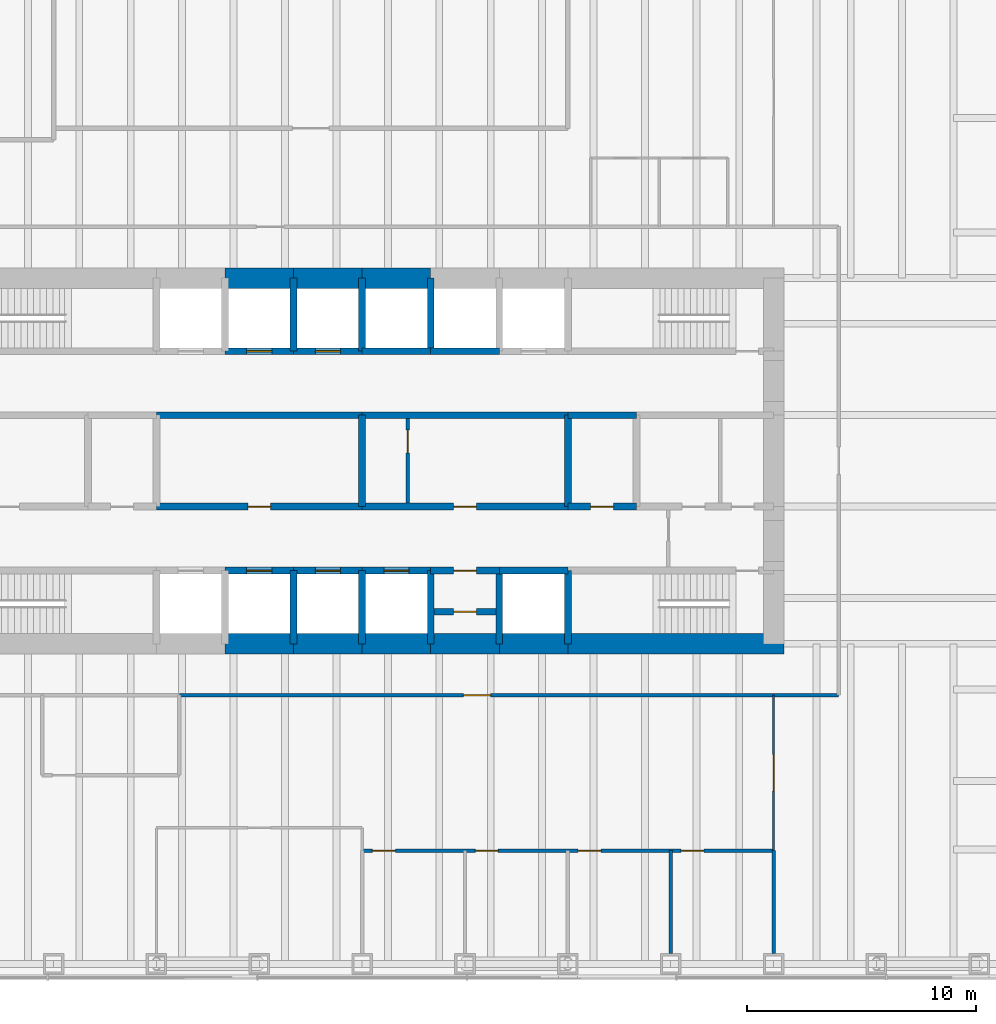
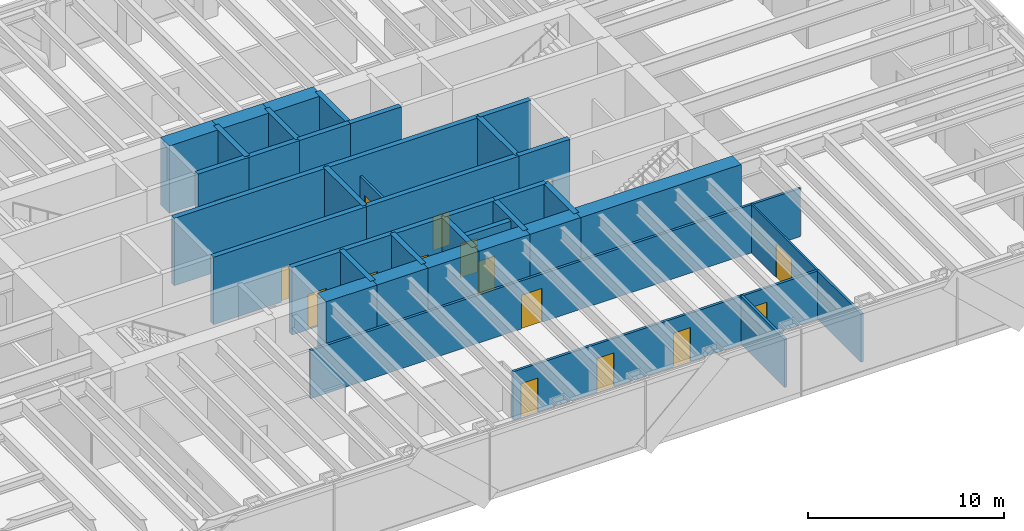
# One storey, part 14 of 17: 41 walls, 17 doors, 17 openings.
"""IFC4 building model written with IfcOpenShell, lengths in metres."""

import ifcopenshell
import ifcopenshell.guid

model = None  # the IFC model being written
_history = None  # IfcOwnerHistory: only IFC2X3 demands one
_inside = {}  # id of a spatial element -> (the spatial element, [elements in it])
_under = {}  # id of a project, library or spatial element -> (it, [spatial elements below it])
_declared = {}  # id of a project -> (the project, [libraries it declares])
_typed = {}  # id of a type object -> (the type object, [elements of that type])
_made_of = {}  # id of a material, layer set ... -> (it, [elements and type objects made of it])


def new_model(schema):
    """Start an empty IFC model of exactly this schema.

    Asked for "IFC4X3", IfcOpenShell would pick the latest addendum, in which some entities
    have other attributes; the version numbers below select the first issue.
    IFC2X3 requires an IfcOwnerHistory on every rooted entity: one is made here for all.
    """
    global model, _history
    if schema == "IFC4X3":
        model = ifcopenshell.file(schema_version=(4, 3, 0, 0))
    else:
        model = ifcopenshell.file(schema=schema)
    _inside.clear()
    _under.clear()
    _declared.clear()
    _typed.clear()
    _made_of.clear()
    _history = None
    if model.schema == "IFC2X3":
        org = make("IfcOrganization", Name="unknown")
        user = make(
            "IfcPersonAndOrganization",
            ThePerson=make("IfcPerson", FamilyName="unknown"),
            TheOrganization=org,
        )
        app = make(
            "IfcApplication",
            ApplicationDeveloper=org,
            Version="unknown",
            ApplicationFullName="unknown",
            ApplicationIdentifier="unknown",
        )
        _history = make(
            "IfcOwnerHistory",
            OwningUser=user,
            OwningApplication=app,
            ChangeAction="ADDED",
            CreationDate=0,
        )
    return model


def make(cls, **values):
    """One entity of the class cls with the attributes given. An attribute that is None is left unset."""
    return model.create_entity(
        cls, **{name: value for name, value in values.items() if value is not None}
    )


def rooted(cls, **values):
    """An entity with a GlobalId (a new one), such as an element, a storey or a relation."""
    return make(cls, GlobalId=ifcopenshell.guid.new(), OwnerHistory=_history, **values)


def si_unit(unit_type, name, prefix=None):
    """IfcSIUnit, for example si_unit("LENGTHUNIT", "METRE", prefix="MILLI")."""
    return make("IfcSIUnit", UnitType=unit_type, Prefix=prefix, Name=name)


def assignment(units):
    """IfcUnitAssignment: the units of a project."""
    return None if units is None else make("IfcUnitAssignment", Units=units)


def point(xyz):
    """IfcCartesianPoint."""
    return None if xyz is None else make("IfcCartesianPoint", Coordinates=xyz)


def direction(xyz):
    """IfcDirection."""
    return None if xyz is None else make("IfcDirection", DirectionRatios=xyz)


def frame(location, z_axis=None, x_axis=None):
    """IfcAxis2Placement3D, a coordinate frame: its origin and axes. An axis left out is left unset."""
    return make(
        "IfcAxis2Placement3D",
        Location=point(location),
        Axis=direction(z_axis),
        RefDirection=direction(x_axis),
    )


def frame_2d(location, x_axis=None):
    """IfcAxis2Placement2D, a coordinate frame in the plane: its origin and x axis."""
    return make(
        "IfcAxis2Placement2D", Location=point(location), RefDirection=direction(x_axis)
    )


def origin():
    """The frame at (0, 0, 0) with its axes left unset."""
    return frame((0.0, 0.0, 0.0))


def place(relative_to, where):
    """IfcLocalPlacement: puts the frame where relative to a parent placement (None: the world)."""
    return make(
        "IfcLocalPlacement", PlacementRelTo=relative_to, RelativePlacement=where
    )


def context(
    kind, dimensions, precision=None, world=None, true_north=None, identifier=None
):
    """IfcGeometricRepresentationContext, for example the 3D "Model" context."""
    return make(
        "IfcGeometricRepresentationContext",
        ContextIdentifier=identifier,
        ContextType=kind,
        CoordinateSpaceDimension=dimensions,
        Precision=precision,
        WorldCoordinateSystem=world,
        TrueNorth=true_north,
    )


def subcontext(parent, identifier, kind, view, scale=None):
    """IfcGeometricRepresentationSubContext, for example "Body" below "Model"."""
    return make(
        "IfcGeometricRepresentationSubContext",
        ContextIdentifier=identifier,
        ContextType=kind,
        ParentContext=parent,
        TargetScale=scale,
        TargetView=view,
    )


def project(units=None, contexts=None):
    """IfcProject with its units and contexts."""
    return rooted(
        "IfcProject",
        Name="project",
        RepresentationContexts=contexts,
        UnitsInContext=assignment(units),
    )


def spatial(cls, under=None, at=None, **own):
    """A site, building, storey or space (cls), placed at a placement, below another one or the project."""
    s = rooted(cls, ObjectPlacement=at, **own)
    if under is not None:
        _under.setdefault(under.id(), (under, []))[1].append(s)
    return s


def profile(cls, at=None, kind="AREA", **sizes):
    """A parametric profile (cls). Its sizes go by their IFC names, for example OverallWidth=200.0."""
    return make(cls, ProfileType=kind, Position=at, **sizes)


def rectangle(**sizes):
    """IfcRectangleProfileDef."""
    return profile("IfcRectangleProfileDef", **sizes)


def extrude(swept, where, along, depth):
    """IfcExtrudedAreaSolid: the profile swept, set in the frame where, extruded along a direction by depth."""
    return make(
        "IfcExtrudedAreaSolid",
        SweptArea=swept,
        Position=where,
        ExtrudedDirection=direction(along),
        Depth=depth,
    )


def shape(context_of_items, identifier, shape_type, items):
    """IfcShapeRepresentation: the items that make up one representation, for example the "Body"."""
    return make(
        "IfcShapeRepresentation",
        ContextOfItems=context_of_items,
        RepresentationIdentifier=identifier,
        RepresentationType=shape_type,
        Items=items,
    )


def material(Name=None, Category=None):
    """IfcMaterial."""
    return make("IfcMaterial", Name=Name, Category=Category)


def layer(
    of_material, thickness, ventilated=None, Name=None, Category=None, Priority=None
):
    """IfcMaterialLayer: one layer of a wall or slab, of a material (None: an air gap)."""
    return make(
        "IfcMaterialLayer",
        Material=of_material,
        LayerThickness=thickness,
        IsVentilated=ventilated,
        Name=Name,
        Category=Category,
        Priority=Priority,
    )


def layer_set(layers, Name=None):
    """IfcMaterialLayerSet."""
    return make("IfcMaterialLayerSet", MaterialLayers=layers, LayerSetName=Name)


def made_of(thing, what):
    """Note that an element or type object is made of a material, layer set ...; save() writes the relation."""
    if what is not None:
        _made_of.setdefault(what.id(), (what, []))[1].append(thing)
    return thing


def type_object(cls, material=None, **own):
    """A type object (cls), such as IfcWallType, which elements share."""
    return made_of(rooted(cls, **own), material)


def element(
    cls,
    number,
    at=None,
    inside=None,
    cuts=None,
    type_object=None,
    material=None,
    context=None,
    identifier="Body",
    shape_type=None,
    held_by="IfcProductDefinitionShape",
    body=None,
    shapes=None,
    **own,
):
    """One element of the class cls, such as IfcWall. Its Tag is "e" and its number.

    at: its placement. inside: the storey or other place that contains it. cuts: it is an
    opening in that element (IfcRelVoidsElement). A single representation is given by context,
    identifier, shape_type and body (its items); several are given by shapes. held_by: the class
    of the entity that holds the representations. save() writes the other relations.
    """
    e = rooted(cls, Tag="e%d" % number, ObjectPlacement=at, **own)
    if body is not None:
        shapes = [shape(context, identifier, shape_type, body)]
    if shapes is not None:
        e.Representation = make(held_by, Representations=shapes)
    if inside is not None:
        _inside.setdefault(inside.id(), (inside, []))[1].append(e)
    if cuts is not None:
        rooted(
            "IfcRelVoidsElement", RelatingBuildingElement=cuts, RelatedOpeningElement=e
        )
    if type_object is not None:
        _typed.setdefault(type_object.id(), (type_object, []))[1].append(e)
    return made_of(e, material)


def fill(opening, filler):
    """IfcRelFillsElement: the door or window that sits in an opening."""
    return rooted(
        "IfcRelFillsElement",
        RelatingOpeningElement=opening,
        RelatedBuildingElement=filler,
    )


def aggregate(whole, parts):
    """IfcRelAggregates: a whole, such as a stair, and the parts it consists of."""
    return rooted("IfcRelAggregates", RelatingObject=whole, RelatedObjects=parts)


def save(model, path):
    """Write the relations noted so far, then the file.

    IfcRelAggregates (storeys below a building ...), IfcRelContainedInSpatialStructure (elements
    in a storey), IfcRelDefinesByType, IfcRelAssociatesMaterial and IfcRelDeclares: one each for
    every whole, place, type object, material and project.
    """
    for whole, parts in _under.values():
        aggregate(whole, parts)
    for where, things in _inside.values():
        rooted(
            "IfcRelContainedInSpatialStructure",
            RelatedElements=things,
            RelatingStructure=where,
        )
    for kind, things in _typed.values():
        rooted("IfcRelDefinesByType", RelatedObjects=things, RelatingType=kind)
    for what, things in _made_of.values():
        rooted("IfcRelAssociatesMaterial", RelatedObjects=things, RelatingMaterial=what)
    for by, libraries in _declared.values():
        rooted("IfcRelDeclares", RelatingContext=by, RelatedDefinitions=libraries)
    model.write(path)


model = new_model("IFC4")

# Units and contexts
model_context = context("Model", 3, precision=1e-05, world=origin(), true_north=direction((0.0, 1.0)))
body_context = subcontext(model_context, "Body", "Model", "MODEL_VIEW")
ifc_project = project(units=[si_unit("LENGTHUNIT", "METRE"), si_unit("AREAUNIT", "SQUARE_METRE"), si_unit("VOLUMEUNIT", "CUBIC_METRE"), si_unit("PLANEANGLEUNIT", "RADIAN"), si_unit("MASSUNIT", "GRAM", prefix="KILO")], contexts=[model_context])

# Site, building, storey
site_placement = place(None, origin())
site = spatial("IfcSite", under=ifc_project, at=site_placement, CompositionType="ELEMENT")
building_placement = place(site_placement, origin())
building = spatial("IfcBuilding", under=site, at=building_placement, Name="Rheinbord Bourse Tower", CompositionType="ELEMENT")
storey_placement = place(building_placement, frame((0.0, 0.0, 129.89990234375)))
storey = spatial("IfcBuildingStorey", under=building, at=storey_placement, Name="L28", CompositionType="ELEMENT", Elevation=129.89990234375)

# Wall, opening, door
ifc_material_1 = material(Name="Concrete C50/60", Category="concrete")
ifc_layer_1 = layer(ifc_material_1, 0.300048828125)
ifc_layer_set_1 = layer_set([ifc_layer_1], Name="CORE INNER WALL 300")
wall_type_1 = type_object("IfcWallType", Name="CORE INNER WALL 300", PredefinedType="SOLIDWALL", material=ifc_layer_set_1)
wall_1_placement = place(storey_placement, frame((30.0, 19.199951171875, 0.0), z_axis=(0.0, 0.0, 1.0), x_axis=(1.0, 0.0, 0.0)))
wall_1 = element("IfcWall", 1, at=wall_1_placement, inside=storey, type_object=wall_type_1, Name="Core wall A3 L28", PredefinedType="SOLIDWALL", context=body_context, shape_type="SweptSolid", body=[
    extrude(rectangle(XDim=3.0, YDim=0.300048828125, at=frame_2d((1.5, 0.0))), origin(), (0.0, 0.0, 1.0), 4.2001953125),
])
opening_1_placement = place(wall_1_placement, frame((0.949951171875, 0.0, 0.0)))
opening_1 = element("IfcOpeningElement", 2, at=opening_1_placement, cuts=wall_1, Name="Opening PB1", PredefinedType="OPENING", context=body_context, shape_type="SweptSolid", body=[
    extrude(rectangle(XDim=1.10009765625, YDim=2.199951171875, at=frame_2d((0.550048828125, 1.10009765625))), frame((0.0, 0.159912109375, 0.0), z_axis=(0.0, -1.0, 0.0), x_axis=(1.0, 0.0, 0.0)), (0.0, 0.0, 1.0), 0.320068359375),
])
ifc_material_2 = material(Name="Steel landing door", Category="steel")
door_type_1 = type_object("IfcDoorType", Name="LIFT LANDING DOOR 1100", OperationType="DOUBLE_DOOR_SLIDING", PredefinedType="USERDEFINED", material=ifc_material_2)
door_1_placement = place(opening_1_placement, origin())
door_1 = element("IfcDoor", 3, at=door_1_placement, inside=storey, type_object=door_type_1, Name="Lift landing door PB1 L28", ObjectType="LIFT LANDING DOOR", OperationType="DOUBLE_DOOR_SLIDING", OverallHeight=2.199951171875, OverallWidth=1.10009765625, PredefinedType="USERDEFINED", context=body_context, shape_type="SweptSolid", body=[
    extrude(rectangle(XDim=1.10009765625, YDim=2.199951171875, at=frame_2d((0.550048828125, 1.10009765625))), frame((0.0, 0.02490234375, 0.0), z_axis=(0.0, -1.0, 0.0), x_axis=(1.0, 0.0, 0.0)), (0.0, 0.0, 1.0), 0.050048828125),
])
fill(opening_1, door_1)

wall_2_placement = place(storey_placement, frame((33.0, 19.199951171875, 0.0), z_axis=(0.0, 0.0, 1.0), x_axis=(1.0, 0.0, 0.0)))
wall_2 = element("IfcWall", 4, at=wall_2_placement, inside=storey, type_object=wall_type_1, Name="Core wall A4 L28", PredefinedType="SOLIDWALL", context=body_context, shape_type="SweptSolid", body=[
    extrude(rectangle(XDim=3.0, YDim=0.300048828125, at=frame_2d((1.5, 0.0))), origin(), (0.0, 0.0, 1.0), 4.2001953125),
])
opening_2_placement = place(wall_2_placement, frame((0.949951171875, 0.0, 0.0)))
opening_2 = element("IfcOpeningElement", 5, at=opening_2_placement, cuts=wall_2, Name="Opening PB2", PredefinedType="OPENING", context=body_context, shape_type="SweptSolid", body=[
    extrude(rectangle(XDim=1.10009765625, YDim=2.199951171875, at=frame_2d((0.550048828125, 1.10009765625))), frame((0.0, 0.159912109375, 0.0), z_axis=(0.0, -1.0, 0.0), x_axis=(1.0, 0.0, 0.0)), (0.0, 0.0, 1.0), 0.320068359375),
])
door_2_placement = place(opening_2_placement, origin())
door_2 = element("IfcDoor", 6, at=door_2_placement, inside=storey, type_object=door_type_1, Name="Lift landing door PB2 L28", ObjectType="LIFT LANDING DOOR", OperationType="DOUBLE_DOOR_SLIDING", OverallHeight=2.199951171875, OverallWidth=1.10009765625, PredefinedType="USERDEFINED", context=body_context, shape_type="SweptSolid", body=[
    extrude(rectangle(XDim=1.10009765625, YDim=2.199951171875, at=frame_2d((0.550048828125, 1.10009765625))), frame((0.0, 0.02490234375, 0.0), z_axis=(0.0, -1.0, 0.0), x_axis=(1.0, 0.0, 0.0)), (0.0, 0.0, 1.0), 0.050048828125),
])
fill(opening_2, door_2)

wall_3_placement = place(storey_placement, frame((36.0, 19.199951171875, 0.0), z_axis=(0.0, 0.0, 1.0), x_axis=(1.0, 0.0, 0.0)))
wall_3 = element("IfcWall", 7, at=wall_3_placement, inside=storey, type_object=wall_type_1, Name="Core wall A5 L28", PredefinedType="SOLIDWALL", context=body_context, shape_type="SweptSolid", body=[
    extrude(rectangle(XDim=3.0, YDim=0.300048828125, at=frame_2d((1.5, 0.0))), origin(), (0.0, 0.0, 1.0), 4.2001953125),
])
opening_3_placement = place(wall_3_placement, frame((0.949951171875, 0.0, 0.0)))
opening_3 = element("IfcOpeningElement", 8, at=opening_3_placement, cuts=wall_3, Name="Opening PB3", PredefinedType="OPENING", context=body_context, shape_type="SweptSolid", body=[
    extrude(rectangle(XDim=1.10009765625, YDim=2.199951171875, at=frame_2d((0.550048828125, 1.10009765625))), frame((0.0, 0.159912109375, 0.0), z_axis=(0.0, -1.0, 0.0), x_axis=(1.0, 0.0, 0.0)), (0.0, 0.0, 1.0), 0.320068359375),
])
door_3_placement = place(opening_3_placement, origin())
door_3 = element("IfcDoor", 9, at=door_3_placement, inside=storey, type_object=door_type_1, Name="Lift landing door PB3 L28", ObjectType="LIFT LANDING DOOR", OperationType="DOUBLE_DOOR_SLIDING", OverallHeight=2.199951171875, OverallWidth=1.10009765625, PredefinedType="USERDEFINED", context=body_context, shape_type="SweptSolid", body=[
    extrude(rectangle(XDim=1.10009765625, YDim=2.199951171875, at=frame_2d((0.550048828125, 1.10009765625))), frame((0.0, 0.02490234375, 0.0), z_axis=(0.0, -1.0, 0.0), x_axis=(1.0, 0.0, 0.0)), (0.0, 0.0, 1.0), 0.050048828125),
])
fill(opening_3, door_3)

wall_4_placement = place(storey_placement, frame((39.0, 19.199951171875, 0.0), z_axis=(0.0, 0.0, 1.0), x_axis=(1.0, 0.0, 0.0)))
wall_4 = element("IfcWall", 10, at=wall_4_placement, inside=storey, type_object=wall_type_1, Name="Core wall A6 L28", PredefinedType="SOLIDWALL", context=body_context, shape_type="SweptSolid", body=[
    extrude(rectangle(XDim=3.0, YDim=0.300048828125, at=frame_2d((1.5, 0.0))), origin(), (0.0, 0.0, 1.0), 4.2001953125),
])
opening_4_placement = place(wall_4_placement, frame((1.0, 0.0, 0.0)))
opening_4 = element("IfcOpeningElement", 11, at=opening_4_placement, cuts=wall_4, Name="Opening 28R8", PredefinedType="OPENING", context=body_context, shape_type="SweptSolid", body=[
    extrude(rectangle(XDim=1.0, YDim=2.10009765625, at=frame_2d((0.5, 1.050048828125))), frame((0.0, 0.159912109375, 0.0), z_axis=(0.0, -1.0, 0.0), x_axis=(1.0, 0.0, 0.0)), (0.0, 0.0, 1.0), 0.320068359375),
])
ifc_material_3 = material(Name="Steel door", Category="steel")
door_type_2 = type_object("IfcDoorType", Name="DOOR 1000 EI30", OperationType="SINGLE_SWING_LEFT", PredefinedType="DOOR", material=ifc_material_3)
door_4_placement = place(opening_4_placement, origin())
door_4 = element("IfcDoor", 12, at=door_4_placement, inside=storey, type_object=door_type_2, Name="Mail room door L28", OperationType="SINGLE_SWING_LEFT", OverallHeight=2.10009765625, OverallWidth=1.0, PredefinedType="DOOR", context=body_context, shape_type="SweptSolid", body=[
    extrude(rectangle(XDim=1.0, YDim=2.10009765625, at=frame_2d((0.5, 1.050048828125))), frame((0.0, 0.02490234375, 0.0), z_axis=(0.0, -1.0, 0.0), x_axis=(1.0, 0.0, 0.0)), (0.0, 0.0, 1.0), 0.050048828125),
])
fill(opening_4, door_4)

# Wall
wall_5_placement = place(storey_placement, frame((42.0, 19.199951171875, 0.0), z_axis=(0.0, 0.0, 1.0), x_axis=(1.0, 0.0, 0.0)))
element("IfcWall", 13, at=wall_5_placement, inside=storey, type_object=wall_type_1, Name="Core wall A7 L28", PredefinedType="SOLIDWALL", context=body_context, shape_type="SweptSolid", body=[
    extrude(rectangle(XDim=3.0, YDim=0.300048828125, at=frame_2d((1.5, 0.0))), origin(), (0.0, 0.0, 1.0), 4.2001953125),
])

# Wall, opening, door
wall_6_placement = place(storey_placement, frame((30.0, 28.800048828125, 0.0), z_axis=(0.0, 0.0, 1.0), x_axis=(1.0, 0.0, 0.0)))
wall_6 = element("IfcWall", 14, at=wall_6_placement, inside=storey, type_object=wall_type_1, Name="Core wall B3 L28", PredefinedType="SOLIDWALL", context=body_context, shape_type="SweptSolid", body=[
    extrude(rectangle(XDim=3.0, YDim=0.300048828125, at=frame_2d((1.5, 0.0))), origin(), (0.0, 0.0, 1.0), 4.2001953125),
])
opening_5_placement = place(wall_6_placement, frame((0.949951171875, 0.0, 0.0)))
opening_5 = element("IfcOpeningElement", 15, at=opening_5_placement, cuts=wall_6, Name="Opening PB4", PredefinedType="OPENING", context=body_context, shape_type="SweptSolid", body=[
    extrude(rectangle(XDim=1.10009765625, YDim=2.199951171875, at=frame_2d((0.550048828125, 1.10009765625))), frame((0.0, 0.159912109375, 0.0), z_axis=(0.0, -1.0, 0.0), x_axis=(1.0, 0.0, 0.0)), (0.0, 0.0, 1.0), 0.320068359375),
])
door_5_placement = place(opening_5_placement, origin())
door_5 = element("IfcDoor", 16, at=door_5_placement, inside=storey, type_object=door_type_1, Name="Lift landing door PB4 L28", ObjectType="LIFT LANDING DOOR", OperationType="DOUBLE_DOOR_SLIDING", OverallHeight=2.199951171875, OverallWidth=1.10009765625, PredefinedType="USERDEFINED", context=body_context, shape_type="SweptSolid", body=[
    extrude(rectangle(XDim=1.10009765625, YDim=2.199951171875, at=frame_2d((0.550048828125, 1.10009765625))), frame((0.0, 0.02490234375, 0.0), z_axis=(0.0, -1.0, 0.0), x_axis=(1.0, 0.0, 0.0)), (0.0, 0.0, 1.0), 0.050048828125),
])
fill(opening_5, door_5)

wall_7_placement = place(storey_placement, frame((33.0, 28.800048828125, 0.0), z_axis=(0.0, 0.0, 1.0), x_axis=(1.0, 0.0, 0.0)))
wall_7 = element("IfcWall", 17, at=wall_7_placement, inside=storey, type_object=wall_type_1, Name="Core wall B4 L28", PredefinedType="SOLIDWALL", context=body_context, shape_type="SweptSolid", body=[
    extrude(rectangle(XDim=3.0, YDim=0.300048828125, at=frame_2d((1.5, 0.0))), origin(), (0.0, 0.0, 1.0), 4.2001953125),
])
opening_6_placement = place(wall_7_placement, frame((0.949951171875, 0.0, 0.0)))
opening_6 = element("IfcOpeningElement", 18, at=opening_6_placement, cuts=wall_7, Name="Opening PB5", PredefinedType="OPENING", context=body_context, shape_type="SweptSolid", body=[
    extrude(rectangle(XDim=1.10009765625, YDim=2.199951171875, at=frame_2d((0.550048828125, 1.10009765625))), frame((0.0, 0.159912109375, 0.0), z_axis=(0.0, -1.0, 0.0), x_axis=(1.0, 0.0, 0.0)), (0.0, 0.0, 1.0), 0.320068359375),
])
door_6_placement = place(opening_6_placement, origin())
door_6 = element("IfcDoor", 19, at=door_6_placement, inside=storey, type_object=door_type_1, Name="Lift landing door PB5 L28", ObjectType="LIFT LANDING DOOR", OperationType="DOUBLE_DOOR_SLIDING", OverallHeight=2.199951171875, OverallWidth=1.10009765625, PredefinedType="USERDEFINED", context=body_context, shape_type="SweptSolid", body=[
    extrude(rectangle(XDim=1.10009765625, YDim=2.199951171875, at=frame_2d((0.550048828125, 1.10009765625))), frame((0.0, 0.02490234375, 0.0), z_axis=(0.0, -1.0, 0.0), x_axis=(1.0, 0.0, 0.0)), (0.0, 0.0, 1.0), 0.050048828125),
])
fill(opening_6, door_6)

# Walls
for number, where, z_axis, x_axis, name in (
    (20, (36.0, 28.800048828125, 0.0), (0.0, 0.0, 1.0), (1.0, 0.0, 0.0), "Core wall B5 L28"),
    (21, (39.0, 28.800048828125, 0.0), (0.0, 0.0, 1.0), (1.0, 0.0, 0.0), "Core wall B6 L28"),
):
    element("IfcWall", number, at=place(storey_placement, frame(where, z_axis=z_axis, x_axis=x_axis)), inside=storey, type_object=wall_type_1, Name=name, PredefinedType="SOLIDWALL", context=body_context, shape_type="SweptSolid", body=[
        extrude(rectangle(XDim=3.0, YDim=0.300048828125, at=frame_2d((1.5, 0.0))), origin(), (0.0, 0.0, 1.0), 4.2001953125),
    ])

# Wall, opening, door
wall_8_placement = place(storey_placement, frame((27.0, 22.0, 0.0), z_axis=(0.0, 0.0, 1.0), x_axis=(1.0, 0.0, 0.0)))
wall_8 = element("IfcWall", 22, at=wall_8_placement, inside=storey, type_object=wall_type_1, Name="Core wall C3 L28", PredefinedType="SOLIDWALL", context=body_context, shape_type="SweptSolid", body=[
    extrude(rectangle(XDim=9.0, YDim=0.300048828125, at=frame_2d((4.5, 0.0))), origin(), (0.0, 0.0, 1.0), 4.2001953125),
])
opening_7_placement = place(wall_8_placement, frame((4.0, 0.0, 0.0)))
opening_7 = element("IfcOpeningElement", 23, at=opening_7_placement, cuts=wall_8, Name="Opening 28R3", PredefinedType="OPENING", context=body_context, shape_type="SweptSolid", body=[
    extrude(rectangle(XDim=1.0, YDim=2.10009765625, at=frame_2d((0.5, 1.050048828125))), frame((0.0, 0.159912109375, 0.0), z_axis=(0.0, -1.0, 0.0), x_axis=(1.0, 0.0, 0.0)), (0.0, 0.0, 1.0), 0.320068359375),
])
door_7_placement = place(opening_7_placement, origin())
door_7 = element("IfcDoor", 24, at=door_7_placement, inside=storey, type_object=door_type_2, Name="Riser door L28", OperationType="SINGLE_SWING_LEFT", OverallHeight=2.10009765625, OverallWidth=1.0, PredefinedType="DOOR", context=body_context, shape_type="SweptSolid", body=[
    extrude(rectangle(XDim=1.0, YDim=2.10009765625, at=frame_2d((0.5, 1.050048828125))), frame((0.0, 0.02490234375, 0.0), z_axis=(0.0, -1.0, 0.0), x_axis=(1.0, 0.0, 0.0)), (0.0, 0.0, 1.0), 0.050048828125),
])
fill(opening_7, door_7)

wall_9_placement = place(storey_placement, frame((36.0, 22.0, 0.0), z_axis=(0.0, 0.0, 1.0), x_axis=(1.0, 0.0, 0.0)))
wall_9 = element("IfcWall", 25, at=wall_9_placement, inside=storey, type_object=wall_type_1, Name="Core wall C4 L28", PredefinedType="SOLIDWALL", context=body_context, shape_type="SweptSolid", body=[
    extrude(rectangle(XDim=9.0, YDim=0.300048828125, at=frame_2d((4.5, 0.0))), origin(), (0.0, 0.0, 1.0), 4.2001953125),
])
opening_8_placement = place(wall_9_placement, frame((4.0, 0.0, 0.0)))
opening_8 = element("IfcOpeningElement", 26, at=opening_8_placement, cuts=wall_9, Name="Opening 28R4", PredefinedType="OPENING", context=body_context, shape_type="SweptSolid", body=[
    extrude(rectangle(XDim=1.0, YDim=2.10009765625, at=frame_2d((0.5, 1.050048828125))), frame((0.0, 0.159912109375, 0.0), z_axis=(0.0, -1.0, 0.0), x_axis=(1.0, 0.0, 0.0)), (0.0, 0.0, 1.0), 0.320068359375),
])
door_8_placement = place(opening_8_placement, origin())
door_8 = element("IfcDoor", 27, at=door_8_placement, inside=storey, type_object=door_type_2, Name="Staff locker room door L28", OperationType="SINGLE_SWING_LEFT", OverallHeight=2.10009765625, OverallWidth=1.0, PredefinedType="DOOR", context=body_context, shape_type="SweptSolid", body=[
    extrude(rectangle(XDim=1.0, YDim=2.10009765625, at=frame_2d((0.5, 1.050048828125))), frame((0.0, 0.02490234375, 0.0), z_axis=(0.0, -1.0, 0.0), x_axis=(1.0, 0.0, 0.0)), (0.0, 0.0, 1.0), 0.050048828125),
])
fill(opening_8, door_8)

wall_10_placement = place(storey_placement, frame((45.0, 22.0, 0.0), z_axis=(0.0, 0.0, 1.0), x_axis=(1.0, 0.0, 0.0)))
wall_10 = element("IfcWall", 28, at=wall_10_placement, inside=storey, type_object=wall_type_1, Name="Core wall C5 L28", PredefinedType="SOLIDWALL", context=body_context, shape_type="SweptSolid", body=[
    extrude(rectangle(XDim=3.0, YDim=0.300048828125, at=frame_2d((1.5, 0.0))), origin(), (0.0, 0.0, 1.0), 4.2001953125),
])
opening_9_placement = place(wall_10_placement, frame((1.0, 0.0, 0.0)))
opening_9 = element("IfcOpeningElement", 29, at=opening_9_placement, cuts=wall_10, Name="Opening 28R5", PredefinedType="OPENING", context=body_context, shape_type="SweptSolid", body=[
    extrude(rectangle(XDim=1.0, YDim=2.10009765625, at=frame_2d((0.5, 1.050048828125))), frame((0.0, 0.159912109375, 0.0), z_axis=(0.0, -1.0, 0.0), x_axis=(1.0, 0.0, 0.0)), (0.0, 0.0, 1.0), 0.320068359375),
])
ifc_material_4 = material(Name="Timber door", Category="wood")
door_type_3 = type_object("IfcDoorType", Name="DOOR 1000 WC", OperationType="SINGLE_SWING_LEFT", PredefinedType="DOOR", material=ifc_material_4)
door_9_placement = place(opening_9_placement, origin())
door_9 = element("IfcDoor", 30, at=door_9_placement, inside=storey, type_object=door_type_3, Name="Accessible WC door L28", OperationType="SINGLE_SWING_LEFT", OverallHeight=2.10009765625, OverallWidth=1.0, PredefinedType="DOOR", context=body_context, shape_type="SweptSolid", body=[
    extrude(rectangle(XDim=1.0, YDim=2.10009765625, at=frame_2d((0.5, 1.050048828125))), frame((0.0, 0.02490234375, 0.0), z_axis=(0.0, -1.0, 0.0), x_axis=(1.0, 0.0, 0.0)), (0.0, 0.0, 1.0), 0.050048828125),
])
fill(opening_9, door_9)

# Walls
for number, where, z_axis, x_axis, name in (
    (31, (27.0, 26.0, 0.0), (0.0, 0.0, 1.0), (1.0, 0.0, 0.0), "Core wall D3 L28"),
    (32, (36.0, 26.0, 0.0), (0.0, 0.0, 1.0), (1.0, 0.0, 0.0), "Core wall D4 L28"),
):
    element("IfcWall", number, at=place(storey_placement, frame(where, z_axis=z_axis, x_axis=x_axis)), inside=storey, type_object=wall_type_1, Name=name, PredefinedType="SOLIDWALL", context=body_context, shape_type="SweptSolid", body=[
        extrude(rectangle(XDim=9.0, YDim=0.300048828125, at=frame_2d((4.5, 0.0))), origin(), (0.0, 0.0, 1.0), 4.2001953125),
    ])
wall_11_placement = place(storey_placement, frame((45.0, 26.0, 0.0), z_axis=(0.0, 0.0, 1.0), x_axis=(1.0, 0.0, 0.0)))
element("IfcWall", 33, at=wall_11_placement, inside=storey, type_object=wall_type_1, Name="Core wall D5 L28", PredefinedType="SOLIDWALL", context=body_context, shape_type="SweptSolid", body=[
    extrude(rectangle(XDim=3.0, YDim=0.300048828125, at=frame_2d((1.5, 0.0))), origin(), (0.0, 0.0, 1.0), 4.2001953125),
])
for number, where, z_axis, x_axis, name in (
    (34, (33.0, 16.0, 0.0), (0.0, 0.0, 1.0), (0.0, 1.0, 0.0), "Core wall SX33 L28"),
    (35, (33.0, 28.800048828125, 0.0), (0.0, 0.0, 1.0), (0.0, 1.0, 0.0), "Core wall NX33 L28"),
    (36, (36.0, 16.0, 0.0), (0.0, 0.0, 1.0), (0.0, 1.0, 0.0), "Core wall SX36 L28"),
    (37, (36.0, 28.800048828125, 0.0), (0.0, 0.0, 1.0), (0.0, 1.0, 0.0), "Core wall NX36 L28"),
    (38, (39.0, 16.0, 0.0), (0.0, 0.0, 1.0), (0.0, 1.0, 0.0), "Core wall SX39 L28"),
    (39, (39.0, 28.800048828125, 0.0), (0.0, 0.0, 1.0), (0.0, 1.0, 0.0), "Core wall NX39 L28"),
    (40, (42.0, 16.0, 0.0), (0.0, 0.0, 1.0), (0.0, 1.0, 0.0), "Core wall SX42 L28"),
    (41, (45.0, 16.0, 0.0), (0.0, 0.0, 1.0), (0.0, 1.0, 0.0), "Core wall SX45 L28"),
):
    element("IfcWall", number, at=place(storey_placement, frame(where, z_axis=z_axis, x_axis=x_axis)), inside=storey, type_object=wall_type_1, Name=name, PredefinedType="SOLIDWALL", context=body_context, shape_type="SweptSolid", body=[
        extrude(rectangle(XDim=3.199951171875, YDim=0.300048828125, at=frame_2d((1.60009765625, 0.0))), origin(), (0.0, 0.0, 1.0), 4.2001953125),
    ])
for number, where, z_axis, x_axis, name in (
    (42, (36.0, 22.0, 0.0), (0.0, 0.0, 1.0), (0.0, 1.0, 0.0), "Core wall MX36 L28"),
    (43, (45.0, 22.0, 0.0), (0.0, 0.0, 1.0), (0.0, 1.0, 0.0), "Core wall MX45 L28"),
):
    element("IfcWall", number, at=place(storey_placement, frame(where, z_axis=z_axis, x_axis=x_axis)), inside=storey, type_object=wall_type_1, Name=name, PredefinedType="SOLIDWALL", context=body_context, shape_type="SweptSolid", body=[
        extrude(rectangle(XDim=4.0, YDim=0.300048828125, at=frame_2d((2.0, 0.0))), origin(), (0.0, 0.0, 1.0), 4.2001953125),
    ])

# Wall, opening, door
wall_12_placement = place(storey_placement, frame((39.14990234375, 17.39990234375, 0.0), z_axis=(0.0, 0.0, 1.0), x_axis=(1.0, 0.0, 0.0)))
wall_12 = element("IfcWall", 44, at=wall_12_placement, inside=storey, type_object=wall_type_1, Name="Core riser wall L28-6", PredefinedType="SOLIDWALL", context=body_context, shape_type="SweptSolid", body=[
    extrude(rectangle(XDim=2.7001953125, YDim=0.300048828125, at=frame_2d((1.35009765625, 0.0))), origin(), (0.0, 0.0, 1.0), 4.0400390625),
])
opening_10_placement = place(wall_12_placement, frame((0.85009765625, 0.0, 0.0)))
opening_10 = element("IfcOpeningElement", 45, at=opening_10_placement, cuts=wall_12, Name="Opening 28R12", PredefinedType="OPENING", context=body_context, shape_type="SweptSolid", body=[
    extrude(rectangle(XDim=1.0, YDim=2.10009765625, at=frame_2d((0.5, 1.050048828125))), frame((0.0, 0.159912109375, 0.0), z_axis=(0.0, -1.0, 0.0), x_axis=(1.0, 0.0, 0.0)), (0.0, 0.0, 1.0), 0.320068359375),
])
door_10_placement = place(opening_10_placement, origin())
door_10 = element("IfcDoor", 46, at=door_10_placement, inside=storey, type_object=door_type_2, Name="Comms riser door L28", OperationType="SINGLE_SWING_LEFT", OverallHeight=2.10009765625, OverallWidth=1.0, PredefinedType="DOOR", context=body_context, shape_type="SweptSolid", body=[
    extrude(rectangle(XDim=1.0, YDim=2.10009765625, at=frame_2d((0.5, 1.050048828125))), frame((0.0, 0.02490234375, 0.0), z_axis=(0.0, -1.0, 0.0), x_axis=(1.0, 0.0, 0.0)), (0.0, 0.0, 1.0), 0.050048828125),
])
fill(opening_10, door_10)

ifc_material_5 = material(Name="Gypsum board fire partition", Category="gypsum board")
ifc_layer_2 = layer(ifc_material_5, 0.14990234375)
ifc_layer_set_2 = layer_set([ifc_layer_2], Name="CORE PARTITION 150 EI30")
wall_type_2 = type_object("IfcWallType", Name="CORE PARTITION 150 EI30", PredefinedType="PARTITIONING", material=ifc_layer_set_2)
wall_13_placement = place(storey_placement, frame((38.0, 22.14990234375, 0.0), z_axis=(0.0, 0.0, 1.0), x_axis=(0.0, 1.0, 0.0)))
wall_13 = element("IfcWall", 47, at=wall_13_placement, inside=storey, type_object=wall_type_2, Name="Core partition L28-1", PredefinedType="PARTITIONING", context=body_context, shape_type="SweptSolid", body=[
    extrude(rectangle(XDim=3.7001953125, YDim=0.14990234375, at=frame_2d((1.85009765625, 0.0))), origin(), (0.0, 0.0, 1.0), 3.0),
])
opening_11_placement = place(wall_13_placement, frame((2.199951171875, 0.0, 0.0)))
opening_11 = element("IfcOpeningElement", 48, at=opening_11_placement, cuts=wall_13, Name="Opening 28R7", PredefinedType="OPENING", context=body_context, shape_type="SweptSolid", body=[
    extrude(rectangle(XDim=1.0, YDim=2.10009765625, at=frame_2d((0.5, 1.050048828125))), frame((0.0, 0.0849609375, 0.0), z_axis=(0.0, -1.0, 0.0), x_axis=(1.0, 0.0, 0.0)), (0.0, 0.0, 1.0), 0.169921875),
])
door_11_placement = place(opening_11_placement, origin())
door_11 = element("IfcDoor", 49, at=door_11_placement, inside=storey, type_object=door_type_2, Name="Staff shower door L28", OperationType="SINGLE_SWING_RIGHT", OverallHeight=2.10009765625, OverallWidth=1.0, PredefinedType="DOOR", context=body_context, shape_type="SweptSolid", body=[
    extrude(rectangle(XDim=1.0, YDim=2.10009765625, at=frame_2d((0.5, 1.050048828125))), frame((0.0, 0.02490234375, 0.0), z_axis=(0.0, -1.0, 0.0), x_axis=(1.0, 0.0, 0.0)), (0.0, 0.0, 1.0), 0.050048828125),
])
fill(opening_11, door_11)

# Walls
ifc_material_6 = material(Name="Concrete C50/60", Category="concrete")
ifc_layer_3 = layer(ifc_material_6, 0.89990234375)
ifc_layer_set_3 = layer_set([ifc_layer_3], Name="CORE WALL 900")
wall_type_3 = type_object("IfcWallType", Name="CORE WALL 900", PredefinedType="SHEAR", material=ifc_layer_set_3)
for number, where, z_axis, x_axis, name in (
    (50, (30.0, 16.0, 0.0), (0.0, 0.0, 1.0), (1.0, 0.0, 0.0), "Core wall S3 L28"),
    (51, (33.0, 16.0, 0.0), (0.0, 0.0, 1.0), (1.0, 0.0, 0.0), "Core wall S4 L28"),
    (52, (36.0, 16.0, 0.0), (0.0, 0.0, 1.0), (1.0, 0.0, 0.0), "Core wall S5 L28"),
    (53, (39.0, 16.0, 0.0), (0.0, 0.0, 1.0), (1.0, 0.0, 0.0), "Core wall S6 L28"),
    (54, (42.0, 16.0, 0.0), (0.0, 0.0, 1.0), (1.0, 0.0, 0.0), "Core wall S7 L28"),
):
    element("IfcWall", number, at=place(storey_placement, frame(where, z_axis=z_axis, x_axis=x_axis)), inside=storey, type_object=wall_type_3, Name=name, PredefinedType="SHEAR", context=body_context, shape_type="SweptSolid", body=[
        extrude(rectangle(XDim=3.0, YDim=0.89990234375, at=frame_2d((1.5, 0.0))), origin(), (0.0, 0.0, 1.0), 4.2001953125),
    ])
wall_14_placement = place(storey_placement, frame((45.0, 16.0, 0.0), z_axis=(0.0, 0.0, 1.0), x_axis=(1.0, 0.0, 0.0)))
element("IfcWall", 55, at=wall_14_placement, inside=storey, type_object=wall_type_3, Name="Core wall S8 L28", PredefinedType="SHEAR", context=body_context, shape_type="SweptSolid", body=[
    extrude(rectangle(XDim=9.449951171875, YDim=0.89990234375, at=frame_2d((4.72509765625, 0.0))), origin(), (0.0, 0.0, 1.0), 4.2001953125),
])
for number, where, z_axis, x_axis, name in (
    (56, (39.0, 32.0, 0.0), (0.0, 0.0, 1.0), (-1.0, 0.0, 0.0), "Core wall N4 L28"),
    (57, (36.0, 32.0, 0.0), (0.0, 0.0, 1.0), (-1.0, 0.0, 0.0), "Core wall N5 L28"),
    (58, (33.0, 32.0, 0.0), (0.0, 0.0, 1.0), (-1.0, 0.0, 0.0), "Core wall N6 L28"),
):
    element("IfcWall", number, at=place(storey_placement, frame(where, z_axis=z_axis, x_axis=x_axis)), inside=storey, type_object=wall_type_3, Name=name, PredefinedType="SHEAR", context=body_context, shape_type="SweptSolid", body=[
        extrude(rectangle(XDim=3.0, YDim=0.89990234375, at=frame_2d((1.5, 0.0))), origin(), (0.0, 0.0, 1.0), 4.2001953125),
    ])

# Wall, opening, door
ifc_material_7 = material(Name="Gypsum board corridor partition", Category="gypsum board")
ifc_layer_4 = layer(ifc_material_7, 0.14990234375)
ifc_layer_set_4 = layer_set([ifc_layer_4], Name="CORRIDOR PARTITION 150 EI30")
wall_type_4 = type_object("IfcWallType", Name="CORRIDOR PARTITION 150 EI30", PredefinedType="PARTITIONING", material=ifc_layer_set_4)
wall_15_placement = place(storey_placement, frame((28.0, 13.75, 0.0), z_axis=(0.0, 0.0, 1.0), x_axis=(1.0, 0.0, 0.0)))
wall_15 = element("IfcWall", 59, at=wall_15_placement, inside=storey, type_object=wall_type_4, Name="Partition L28-10", PredefinedType="PARTITIONING", context=body_context, shape_type="SweptSolid", body=[
    extrude(rectangle(XDim=28.85009765625, YDim=0.14990234375, at=frame_2d((14.425048828125, 0.0))), origin(), (0.0, 0.0, 1.0), 3.0),
])
opening_12_placement = place(wall_15_placement, frame((12.425048828125, 0.0, 0.0)))
opening_12 = element("IfcOpeningElement", 60, at=opening_12_placement, cuts=wall_15, Name="Opening 28D23", PredefinedType="OPENING", context=body_context, shape_type="SweptSolid", body=[
    extrude(rectangle(XDim=1.199951171875, YDim=2.10009765625, at=frame_2d((0.60009765625, 1.050048828125))), frame((0.0, 0.0849609375, 0.0), z_axis=(0.0, -1.0, 0.0), x_axis=(1.0, 0.0, 0.0)), (0.0, 0.0, 1.0), 0.169921875),
])
ifc_material_8 = material(Name="Timber fire door", Category="wood")
door_type_4 = type_object("IfcDoorType", Name="SUITE ENTRANCE DOOR 1200 EI30", OperationType="SINGLE_SWING_LEFT", PredefinedType="DOOR", material=ifc_material_8)
door_12_placement = place(opening_12_placement, origin())
door_12 = element("IfcDoor", 61, at=door_12_placement, inside=storey, type_object=door_type_4, Name="Suite entrance 3 door L28", OperationType="SINGLE_SWING_LEFT", OverallHeight=2.10009765625, OverallWidth=1.199951171875, PredefinedType="DOOR", context=body_context, shape_type="SweptSolid", body=[
    extrude(rectangle(XDim=1.199951171875, YDim=2.10009765625, at=frame_2d((0.60009765625, 1.050048828125))), frame((0.0, 0.02490234375, 0.0), z_axis=(0.0, -1.0, 0.0), x_axis=(1.0, 0.0, 0.0)), (0.0, 0.0, 1.0), 0.050048828125),
])
fill(opening_12, door_12)

ifc_material_9 = material(Name="Toughened laminated glass partition", Category="glass")
ifc_layer_5 = layer(ifc_material_9, 0.10009765625)
ifc_layer_set_5 = layer_set([ifc_layer_5], Name="GLAZED PARTITION 100")
wall_type_5 = type_object("IfcWallType", Name="GLAZED PARTITION 100", PredefinedType="PARTITIONING", material=ifc_layer_set_5)
wall_16_placement = place(storey_placement, frame((54.0, 6.949951171875, 0.0), z_axis=(0.0, 0.0, 1.0), x_axis=(0.0, 1.0, 0.0)))
wall_16 = element("IfcWall", 62, at=wall_16_placement, inside=storey, type_object=wall_type_5, Name="Partition L28-39", PredefinedType="PARTITIONING", context=body_context, shape_type="SweptSolid", body=[
    extrude(rectangle(XDim=6.800048828125, YDim=0.10009765625, at=frame_2d((3.39990234375, 0.0))), origin(), (0.0, 0.0, 1.0), 3.0),
])
opening_13_placement = place(wall_16_placement, frame((2.60009765625, 0.0, 0.0)))
opening_13 = element("IfcOpeningElement", 63, at=opening_13_placement, cuts=wall_16, Name="Opening 28D19", PredefinedType="OPENING", context=body_context, shape_type="SweptSolid", body=[
    extrude(rectangle(XDim=1.60009765625, YDim=2.10009765625, at=frame_2d((0.800048828125, 1.050048828125))), frame((0.0, 0.06005859375, 0.0), z_axis=(0.0, -1.0, 0.0), x_axis=(1.0, 0.0, 0.0)), (0.0, 0.0, 1.0), 0.1201171875),
])
ifc_material_10 = material(Name="Timber door", Category="wood")
door_type_5 = type_object("IfcDoorType", Name="DOUBLE ROOM DOOR 1600", OperationType="DOUBLE_DOOR_DOUBLE_SWING", PredefinedType="DOOR", material=ifc_material_10)
door_13_placement = place(opening_13_placement, origin())
door_13 = element("IfcDoor", 64, at=door_13_placement, inside=storey, type_object=door_type_5, Name="Open area door L28", OperationType="SINGLE_SWING_LEFT", OverallHeight=2.10009765625, OverallWidth=1.60009765625, PredefinedType="DOOR", context=body_context, shape_type="SweptSolid", body=[
    extrude(rectangle(XDim=1.60009765625, YDim=2.10009765625, at=frame_2d((0.800048828125, 1.050048828125))), frame((0.0, 0.02490234375, 0.0), z_axis=(0.0, -1.0, 0.0), x_axis=(1.0, 0.0, 0.0)), (0.0, 0.0, 1.0), 0.050048828125),
])
fill(opening_13, door_13)

# Wall, openings, doors
ifc_material_11 = material(Name="Gypsum board partition", Category="gypsum board")
ifc_layer_6 = layer(ifc_material_11, 0.14990234375)
ifc_layer_set_6 = layer_set([ifc_layer_6], Name="PARTITION 150")
wall_type_6 = type_object("IfcWallType", Name="PARTITION 150", PredefinedType="PARTITIONING", material=ifc_layer_set_6)
wall_17_placement = place(storey_placement, frame((36.0, 6.949951171875, 0.0), z_axis=(0.0, 0.0, 1.0), x_axis=(1.0, 0.0, 0.0)))
wall_17 = element("IfcWall", 65, at=wall_17_placement, inside=storey, type_object=wall_type_6, Name="Partition L28-01", PredefinedType="PARTITIONING", context=body_context, shape_type="SweptSolid", body=[
    extrude(rectangle(XDim=18.0, YDim=0.14990234375, at=frame_2d((9.0, 0.0))), origin(), (0.0, 0.0, 1.0), 3.0),
])
opening_14_placement = place(wall_17_placement, frame((0.449951171875, 0.0, 0.0)))
opening_14 = element("IfcOpeningElement", 66, at=opening_14_placement, cuts=wall_17, Name="Opening 28D01", PredefinedType="OPENING", context=body_context, shape_type="SweptSolid", body=[
    extrude(rectangle(XDim=1.0, YDim=2.10009765625, at=frame_2d((0.5, 1.050048828125))), frame((0.0, 0.0849609375, 0.0), z_axis=(0.0, -1.0, 0.0), x_axis=(1.0, 0.0, 0.0)), (0.0, 0.0, 1.0), 0.169921875),
])
opening_15_placement = place(wall_17_placement, frame((4.949951171875, 0.0, 0.0)))
opening_15 = element("IfcOpeningElement", 67, at=opening_15_placement, cuts=wall_17, Name="Opening 28D02", PredefinedType="OPENING", context=body_context, shape_type="SweptSolid", body=[
    extrude(rectangle(XDim=1.0, YDim=2.10009765625, at=frame_2d((0.5, 1.050048828125))), frame((0.0, 0.0849609375, 0.0), z_axis=(0.0, -1.0, 0.0), x_axis=(1.0, 0.0, 0.0)), (0.0, 0.0, 1.0), 0.169921875),
])
opening_16_placement = place(wall_17_placement, frame((9.449951171875, 0.0, 0.0)))
opening_16 = element("IfcOpeningElement", 68, at=opening_16_placement, cuts=wall_17, Name="Opening 28D03", PredefinedType="OPENING", context=body_context, shape_type="SweptSolid", body=[
    extrude(rectangle(XDim=1.0, YDim=2.10009765625, at=frame_2d((0.5, 1.050048828125))), frame((0.0, 0.0849609375, 0.0), z_axis=(0.0, -1.0, 0.0), x_axis=(1.0, 0.0, 0.0)), (0.0, 0.0, 1.0), 0.169921875),
])
opening_17_placement = place(wall_17_placement, frame((13.949951171875, 0.0, 0.0)))
opening_17 = element("IfcOpeningElement", 69, at=opening_17_placement, cuts=wall_17, Name="Opening 28D04", PredefinedType="OPENING", context=body_context, shape_type="SweptSolid", body=[
    extrude(rectangle(XDim=1.0, YDim=2.10009765625, at=frame_2d((0.5, 1.050048828125))), frame((0.0, 0.0849609375, 0.0), z_axis=(0.0, -1.0, 0.0), x_axis=(1.0, 0.0, 0.0)), (0.0, 0.0, 1.0), 0.169921875),
])
ifc_material_12 = material(Name="Timber door", Category="wood")
door_type_6 = type_object("IfcDoorType", Name="ROOM DOOR 1000", OperationType="SINGLE_SWING_LEFT", PredefinedType="DOOR", material=ifc_material_12)
door_14_placement = place(opening_14_placement, origin())
door_14 = element("IfcDoor", 70, at=door_14_placement, inside=storey, type_object=door_type_6, Name="Office door L28", OperationType="SINGLE_SWING_LEFT", OverallHeight=2.10009765625, OverallWidth=1.0, PredefinedType="DOOR", context=body_context, shape_type="SweptSolid", body=[
    extrude(rectangle(XDim=1.0, YDim=2.10009765625, at=frame_2d((0.5, 1.050048828125))), frame((0.0, 0.02490234375, 0.0), z_axis=(0.0, -1.0, 0.0), x_axis=(1.0, 0.0, 0.0)), (0.0, 0.0, 1.0), 0.050048828125),
])
fill(opening_14, door_14)
door_15_placement = place(opening_15_placement, origin())
door_15 = element("IfcDoor", 71, at=door_15_placement, inside=storey, type_object=door_type_6, Name="Office door L28", OperationType="SINGLE_SWING_LEFT", OverallHeight=2.10009765625, OverallWidth=1.0, PredefinedType="DOOR", context=body_context, shape_type="SweptSolid", body=[
    extrude(rectangle(XDim=1.0, YDim=2.10009765625, at=frame_2d((0.5, 1.050048828125))), frame((0.0, 0.02490234375, 0.0), z_axis=(0.0, -1.0, 0.0), x_axis=(1.0, 0.0, 0.0)), (0.0, 0.0, 1.0), 0.050048828125),
])
fill(opening_15, door_15)
door_16_placement = place(opening_16_placement, origin())
door_16 = element("IfcDoor", 72, at=door_16_placement, inside=storey, type_object=door_type_6, Name="Office door L28", OperationType="SINGLE_SWING_RIGHT", OverallHeight=2.10009765625, OverallWidth=1.0, PredefinedType="DOOR", context=body_context, shape_type="SweptSolid", body=[
    extrude(rectangle(XDim=1.0, YDim=2.10009765625, at=frame_2d((0.5, 1.050048828125))), frame((0.0, 0.02490234375, 0.0), z_axis=(0.0, -1.0, 0.0), x_axis=(1.0, 0.0, 0.0)), (0.0, 0.0, 1.0), 0.050048828125),
])
fill(opening_16, door_16)
door_17_placement = place(opening_17_placement, origin())
door_17 = element("IfcDoor", 73, at=door_17_placement, inside=storey, type_object=door_type_6, Name="Office door L28", OperationType="SINGLE_SWING_RIGHT", OverallHeight=2.10009765625, OverallWidth=1.0, PredefinedType="DOOR", context=body_context, shape_type="SweptSolid", body=[
    extrude(rectangle(XDim=1.0, YDim=2.10009765625, at=frame_2d((0.5, 1.050048828125))), frame((0.0, 0.02490234375, 0.0), z_axis=(0.0, -1.0, 0.0), x_axis=(1.0, 0.0, 0.0)), (0.0, 0.0, 1.0), 0.050048828125),
])
fill(opening_17, door_17)

# Walls
for number, where, z_axis, x_axis, name in (
    (74, (49.5, 2.449951171875, 0.0), (0.0, 0.0, 1.0), (0.0, 1.0, 0.0), "Partition L28-36"),
    (75, (54.0, 2.449951171875, 0.0), (0.0, 0.0, 1.0), (0.0, 1.0, 0.0), "Partition L28-38"),
):
    element("IfcWall", number, at=place(storey_placement, frame(where, z_axis=z_axis, x_axis=x_axis)), inside=storey, type_object=wall_type_6, Name=name, PredefinedType="PARTITIONING", context=body_context, shape_type="SweptSolid", body=[
        extrude(rectangle(XDim=4.5, YDim=0.14990234375, at=frame_2d((2.25, 0.0))), origin(), (0.0, 0.0, 1.0), 3.0),
    ])

save(model, "model.ifc")
